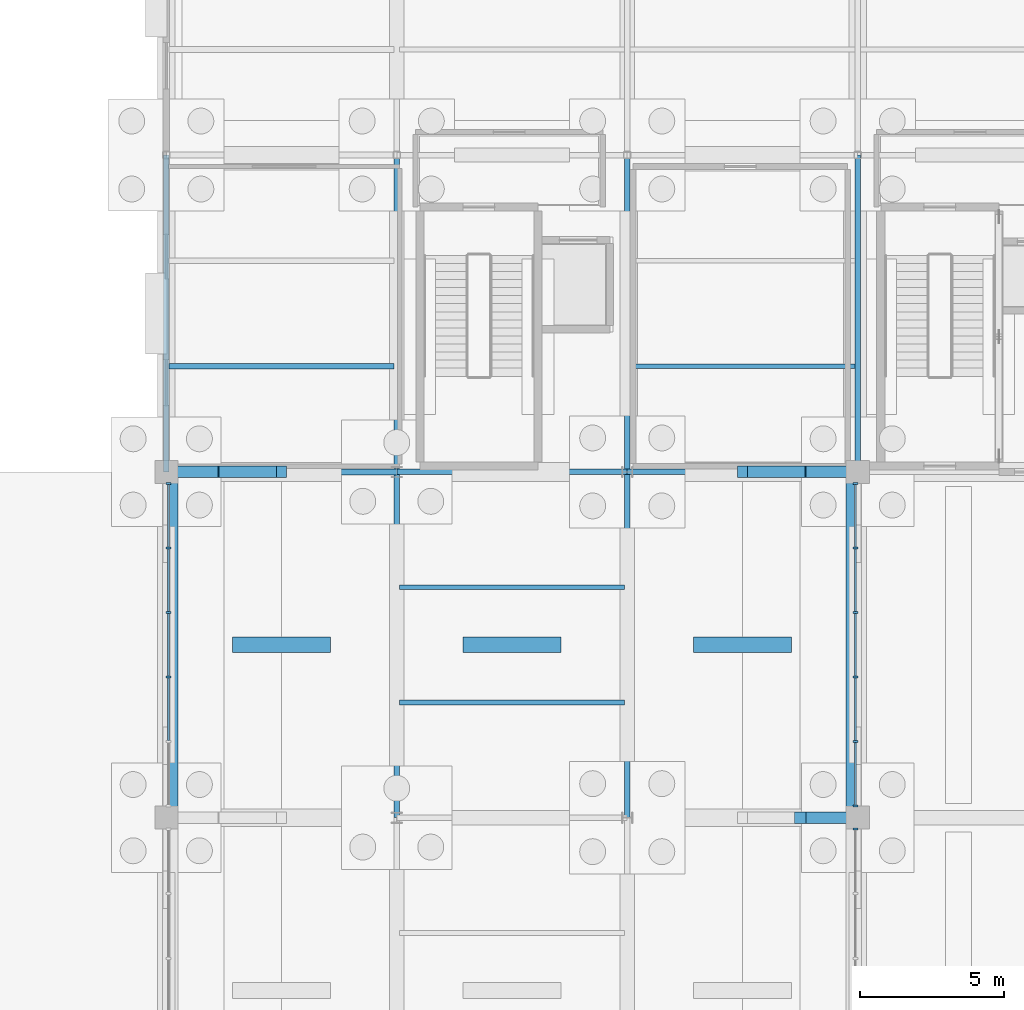
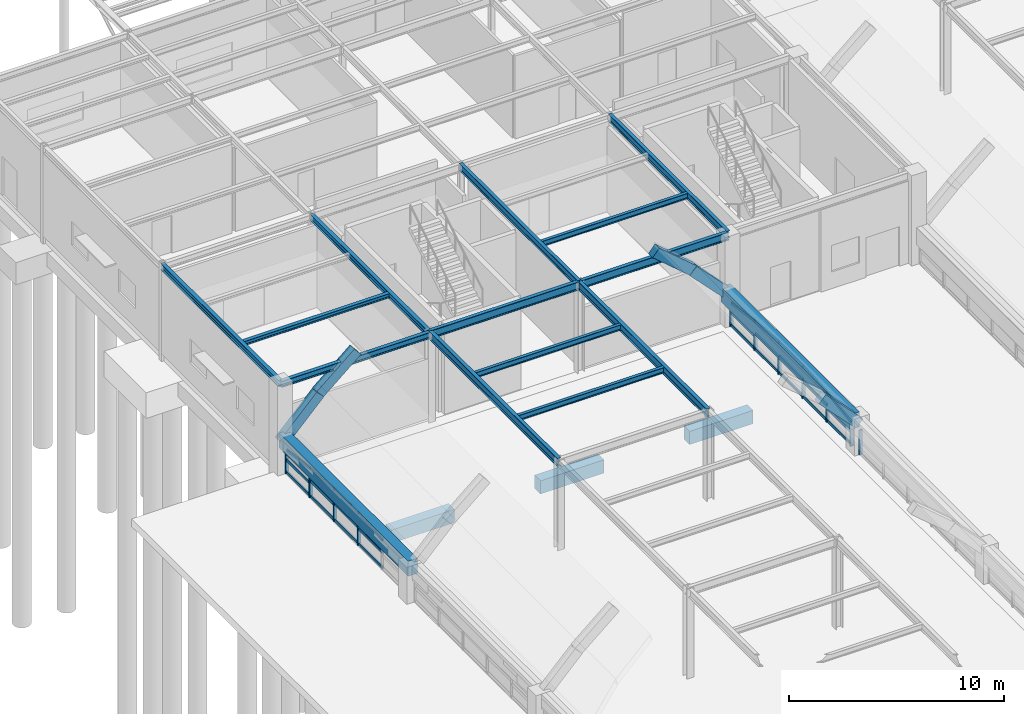
# One storey, part 53 of 129: 38 members, 23 beams, 3 elements without a shape of their own.
"""IFC4 building model written with IfcOpenShell, lengths in metres."""

from ifc_helpers import new_model, si_unit, direction, frame, origin, origin_2d, place, context, subcontext, project, spatial, rectangle, i_section, extrude, material, layer, layer_set, material_profile, profile_set, type_object, element, aggregate, save


model = new_model("IFC4")

# Units and contexts
model_context = context("Model", 3, precision=1e-05, world=origin(), true_north=direction((0.0, 1.0)))
body_context = subcontext(model_context, "Body", "Model", "MODEL_VIEW")
ifc_project = project(units=[si_unit("LENGTHUNIT", "METRE"), si_unit("AREAUNIT", "SQUARE_METRE"), si_unit("VOLUMEUNIT", "CUBIC_METRE"), si_unit("PLANEANGLEUNIT", "RADIAN"), si_unit("MASSUNIT", "GRAM", prefix="KILO")], contexts=[model_context])

# Site, building, storey
site_placement = place(None, origin())
site = spatial("IfcSite", under=ifc_project, at=site_placement, CompositionType="ELEMENT")
building_placement = place(site_placement, origin())
building = spatial("IfcBuilding", under=site, at=building_placement, Name="Sitalva Quay Ferry Terminal", CompositionType="ELEMENT")
storey_placement = place(building_placement, origin())
storey = spatial("IfcBuildingStorey", under=building, at=storey_placement, Name="L01", CompositionType="ELEMENT", Elevation=0.0)

# Beams
ifc_material_1 = material(Name="Concrete C40/50", Category="concrete")
ifc_material_profile_1 = material_profile(ifc_material_1, rectangle(XDim=0.39990234375, YDim=0.550048828125, at=origin_2d()), Name="RC400x550")
ifc_profile_set_1 = profile_set([ifc_material_profile_1], Name="Concrete C40/50")
beam_type_1 = type_object("IfcBeamType", Name="Beam_Arch_RC400x550", PredefinedType="BEAM", material=ifc_profile_set_1)
for number, where, z_axis, x_axis, name in (
    (1, (30.0, 66.0, 3.66943359375), (0.693983482825, 0.0, -0.719990920475), (0.0, 1.0, 0.0), "Vault V2 transverse arch rib 6.12"),
    (2, (8.0, 78.0, 1.594482421875), (0.693983482825, 0.0, 0.719990920475), (0.0, 1.0, 0.0), "Vault V2 transverse arch rib 7.1"),
):
    element("IfcBeam", number, at=place(storey_placement, frame(where, z_axis=z_axis, x_axis=x_axis)), inside=storey, type_object=beam_type_1, Name=name, PredefinedType="BEAM", context=body_context, shape_type="SweptSolid", body=[
        extrude(rectangle(XDim=0.39990234375, YDim=0.550048828125, at=origin_2d()), origin(), (0.0, 0.0, 1.0), 2.8818359375),
    ])
for number, where, z_axis, x_axis, name in (
    (3, (10.0, 78.0, 3.689697265625), (0.761351968138, 0.0, 0.648338785368), (0.0, 1.0, 0.0), "Vault V2 transverse arch rib 7.2"),
    (4, (28.0, 78.0, 5.392822265625), (0.761351968138, 0.0, -0.648338785368), (0.0, 1.0, 0.0), "Vault V2 transverse arch rib 7.11"),
):
    element("IfcBeam", number, at=place(storey_placement, frame(where, z_axis=z_axis, x_axis=x_axis)), inside=storey, type_object=beam_type_1, Name=name, PredefinedType="BEAM", context=body_context, shape_type="SweptSolid", body=[
        extrude(rectangle(XDim=0.39990234375, YDim=0.550048828125, at=origin_2d()), origin(), (0.0, 0.0, 1.0), 2.626953125),
    ])
beam_1_placement = place(storey_placement, frame((30.0, 78.0, 3.66943359375), z_axis=(0.693983482825, 0.0, -0.719990920475), x_axis=(0.0, 1.0, 0.0)))
element("IfcBeam", 5, at=beam_1_placement, inside=storey, type_object=beam_type_1, Name="Vault V2 transverse arch rib 7.12", PredefinedType="BEAM", context=body_context, shape_type="SweptSolid", body=[
    extrude(rectangle(XDim=0.39990234375, YDim=0.550048828125, at=origin_2d()), origin(), (0.0, 0.0, 1.0), 2.8818359375),
])
ifc_material_2 = material(Name="Concrete C40/50", Category="concrete")
ifc_material_profile_2 = material_profile(ifc_material_2, rectangle(XDim=0.5, YDim=0.85009765625, at=origin_2d()), Name="RC500x850")
ifc_profile_set_2 = profile_set([ifc_material_profile_2], Name="Concrete C40/50")
beam_type_2 = type_object("IfcBeamType", Name="Beam_Edge_RC500x850", PredefinedType="BEAM", material=ifc_profile_set_2)
for number, where, z_axis, x_axis, name in (
    (6, (8.14990234375, 66.0, 1.675048828125), (0.0, 1.0, 0.0), (-1.0, 0.0, 0.0), "Vault V2 longitudinal springing edge beam W bay 6"),
    (7, (31.85009765625, 66.0, 1.675048828125), (0.0, 1.0, 0.0), (-1.0, 0.0, 0.0), "Vault V2 longitudinal springing edge beam E bay 6"),
):
    element("IfcBeam", number, at=place(storey_placement, frame(where, z_axis=z_axis, x_axis=x_axis)), inside=storey, type_object=beam_type_2, Name=name, PredefinedType="BEAM", context=body_context, shape_type="SweptSolid", body=[
        extrude(rectangle(XDim=0.5, YDim=0.85009765625, at=origin_2d()), origin(), (0.0, 0.0, 1.0), 12.0),
    ])
ifc_material_3 = material(Name="Structural Steel S355JR", Category="steel")
ifc_material_profile_3 = material_profile(ifc_material_3, i_section(OverallWidth=0.205078125, OverallDepth=0.35400390625, WebThickness=0.009521484375, FlangeThickness=0.016845703125, FilletRadius=0.012939453125, at=origin_2d()), Name="W360x79")
ifc_profile_set_3 = profile_set([ifc_material_profile_3], Name="Structural Steel S355JR")
beam_type_3 = type_object("IfcBeamType", Name="Beam_W360x79", PredefinedType="BEAM", material=ifc_profile_set_3)
beam_2_placement = place(storey_placement, frame((8.0, 78.0, 4.873046875), z_axis=(1.0, 0.0, 0.0), x_axis=(0.0, 1.0, 0.0)))
element("IfcBeam", 8, at=beam_2_placement, inside=storey, type_object=beam_type_3, Name="L01 Primary X girder 0441", PredefinedType="BEAM", context=body_context, shape_type="SweptSolid", body=[
    extrude(i_section(OverallWidth=0.205078125, OverallDepth=0.35400390625, WebThickness=0.009521484375, FlangeThickness=0.016845703125, FilletRadius=0.012939453125, at=origin_2d()), origin(), (0.0, 0.0, 1.0), 8.0),
])
for number, where, z_axis, x_axis, name in (
    (9, (8.0, 78.0, 4.873046875), (0.0, 1.0, 0.0), (-1.0, 0.0, 0.0), "L01 Primary Y girder 0445"),
    (10, (16.0, 78.0, 4.873046875), (0.0, 1.0, 0.0), (-1.0, 0.0, 0.0), "L01 Primary Y girder 0448"),
):
    element("IfcBeam", number, at=place(storey_placement, frame(where, z_axis=z_axis, x_axis=x_axis)), inside=storey, type_object=beam_type_3, Name=name, PredefinedType="BEAM", context=body_context, shape_type="SweptSolid", body=[
        extrude(i_section(OverallWidth=0.205078125, OverallDepth=0.35400390625, WebThickness=0.009521484375, FlangeThickness=0.016845703125, FilletRadius=0.012939453125, at=origin_2d()), origin(), (0.0, 0.0, 1.0), 11.0),
    ])
ifc_material_4 = material(Name="Structural Steel S355JR", Category="steel")
ifc_material_profile_4 = material_profile(ifc_material_4, i_section(OverallWidth=0.180908203125, OverallDepth=0.4169921875, WebThickness=0.010986328125, FlangeThickness=0.018310546875, FilletRadius=0.012939453125, at=origin_2d()), Name="W410x85")
ifc_profile_set_4 = profile_set([ifc_material_profile_4], Name="Structural Steel S355JR")
beam_type_4 = type_object("IfcBeamType", Name="Beam_W410x85", PredefinedType="BEAM", material=ifc_profile_set_4)
for number, where, z_axis, x_axis, name in (
    (11, (24.0, 78.0, 4.91162109375), (0.0, 1.0, 0.0), (-1.0, 0.0, 0.0), "L01 Primary Y girder 0468"),
    (12, (32.0, 78.0, 4.91162109375), (0.0, 1.0, 0.0), (-1.0, 0.0, 0.0), "L01 Primary Y girder 0471"),
):
    element("IfcBeam", number, at=place(storey_placement, frame(where, z_axis=z_axis, x_axis=x_axis)), inside=storey, type_object=beam_type_4, Name=name, PredefinedType="BEAM", context=body_context, shape_type="SweptSolid", body=[
        extrude(i_section(OverallWidth=0.180908203125, OverallDepth=0.4169921875, WebThickness=0.010986328125, FlangeThickness=0.018310546875, FilletRadius=0.012939453125, at=origin_2d()), origin(), (0.0, 0.0, 1.0), 11.0),
    ])
ifc_material_5 = material(Name="Structural Steel S355JR", Category="steel")
ifc_material_profile_5 = material_profile(ifc_material_5, i_section(OverallWidth=0.19091796875, OverallDepth=0.4599609375, WebThickness=0.010009765625, FlangeThickness=0.01611328125, FilletRadius=0.013916015625, at=origin_2d()), Name="W460x82")
ifc_profile_set_5 = profile_set([ifc_material_profile_5], Name="Structural Steel S355JR")
beam_type_5 = type_object("IfcBeamType", Name="Beam_W460x82", PredefinedType="BEAM", material=ifc_profile_set_5)
beam_3_placement = place(storey_placement, frame((24.0, 78.0, 4.889892578125), z_axis=(1.0, 0.0, 0.0), x_axis=(0.0, 1.0, 0.0)))
element("IfcBeam", 13, at=beam_3_placement, inside=storey, type_object=beam_type_5, Name="L01 Primary X girder 0457", PredefinedType="BEAM", context=body_context, shape_type="SweptSolid", body=[
    extrude(i_section(OverallWidth=0.19091796875, OverallDepth=0.4599609375, WebThickness=0.010009765625, FlangeThickness=0.01611328125, FilletRadius=0.013916015625, at=origin_2d()), origin(), (0.0, 0.0, 1.0), 8.0),
])
ifc_material_6 = material(Name="Structural Steel S355JR", Category="steel")
ifc_material_profile_6 = material_profile(ifc_material_6, i_section(OverallWidth=0.194091796875, OverallDepth=0.468994140625, WebThickness=0.0126953125, FlangeThickness=0.0205078125, FilletRadius=0.013916015625, at=origin_2d()), Name="W460x106")
ifc_profile_set_6 = profile_set([ifc_material_profile_6], Name="Structural Steel S355JR")
beam_type_6 = type_object("IfcBeamType", Name="Girder_W460x106", PredefinedType="USERDEFINED", material=ifc_profile_set_6)
beam_4_placement = place(storey_placement, frame((16.0, 78.0, 4.885498046875), z_axis=(1.0, 0.0, 0.0), x_axis=(0.0, 1.0, 0.0)))
element("IfcBeam", 14, at=beam_4_placement, inside=storey, type_object=beam_type_6, Name="L01 Primary X girder 0115", ObjectType="GIRDER", PredefinedType="USERDEFINED", context=body_context, shape_type="SweptSolid", body=[
    extrude(i_section(OverallWidth=0.194091796875, OverallDepth=0.468994140625, WebThickness=0.0126953125, FlangeThickness=0.0205078125, FilletRadius=0.013916015625, at=origin_2d()), origin(), (0.0, 0.0, 1.0), 8.0),
])
for number, where, z_axis, x_axis, name in (
    (15, (16.0, 66.0, 4.885498046875), (0.0, 1.0, 0.0), (-1.0, 0.0, 0.0), "L01 Primary Y girder 0119"),
    (16, (24.0, 66.0, 4.885498046875), (0.0, 1.0, 0.0), (-1.0, 0.0, 0.0), "L01 Primary Y girder 0123"),
):
    element("IfcBeam", number, at=place(storey_placement, frame(where, z_axis=z_axis, x_axis=x_axis)), inside=storey, type_object=beam_type_6, Name=name, ObjectType="GIRDER", PredefinedType="USERDEFINED", context=body_context, shape_type="SweptSolid", body=[
        extrude(i_section(OverallWidth=0.194091796875, OverallDepth=0.468994140625, WebThickness=0.0126953125, FlangeThickness=0.0205078125, FilletRadius=0.013916015625, at=origin_2d()), origin(), (0.0, 0.0, 1.0), 12.0),
    ])
ifc_material_7 = material(Name="Structural Steel S355JR", Category="steel")
ifc_material_profile_7 = material_profile(ifc_material_7, i_section(OverallWidth=0.201904296875, OverallDepth=0.2470703125, WebThickness=0.00732421875, FlangeThickness=0.010986328125, FilletRadius=0.010986328125, at=origin_2d()), Name="W250x49")
ifc_profile_set_7 = profile_set([ifc_material_profile_7], Name="Structural Steel S355JR")
beam_type_7 = type_object("IfcBeamType", Name="Joist_W250x49", PredefinedType="JOIST", material=ifc_profile_set_7)
beam_5_placement = place(storey_placement, frame((8.10009765625, 81.666748046875, 4.926513671875), z_axis=(1.0, 0.0, 0.0), x_axis=(0.0, 1.0, 0.0)))
element("IfcBeam", 17, at=beam_5_placement, inside=storey, type_object=beam_type_7, Name="L01 Secondary joist 0451", PredefinedType="JOIST", context=body_context, shape_type="SweptSolid", body=[
    extrude(i_section(OverallWidth=0.201904296875, OverallDepth=0.2470703125, WebThickness=0.00732421875, FlangeThickness=0.010986328125, FilletRadius=0.010986328125, at=origin_2d()), origin(), (0.0, 0.0, 1.0), 7.7998046875),
])
ifc_material_8 = material(Name="Structural Steel S355JR", Category="steel")
ifc_material_profile_8 = material_profile(ifc_material_8, i_section(OverallWidth=0.166015625, OverallDepth=0.31298828125, WebThickness=0.006591796875, FlangeThickness=0.01123046875, FilletRadius=0.010986328125, at=origin_2d()), Name="W310x45")
ifc_profile_set_8 = profile_set([ifc_material_profile_8], Name="Structural Steel S355JR")
beam_type_8 = type_object("IfcBeamType", Name="Joist_W310x45", PredefinedType="JOIST", material=ifc_profile_set_8)
for number, where, z_axis, x_axis, name in (
    (18, (16.096923828125, 70.0, 4.96337890625), (1.0, 0.0, 0.0), (0.0, 1.0, 0.0), "L01 Secondary joist 0128"),
    (19, (16.096923828125, 74.0, 4.96337890625), (1.0, 0.0, 0.0), (0.0, 1.0, 0.0), "L01 Secondary joist 0129"),
):
    element("IfcBeam", number, at=place(storey_placement, frame(where, z_axis=z_axis, x_axis=x_axis)), inside=storey, type_object=beam_type_8, Name=name, PredefinedType="JOIST", context=body_context, shape_type="SweptSolid", body=[
        extrude(i_section(OverallWidth=0.166015625, OverallDepth=0.31298828125, WebThickness=0.006591796875, FlangeThickness=0.01123046875, FilletRadius=0.010986328125, at=origin_2d()), origin(), (0.0, 0.0, 1.0), 7.80615234375),
    ])
beam_6_placement = place(storey_placement, frame((24.090576171875, 81.666748046875, 4.96337890625), z_axis=(1.0, 0.0, 0.0), x_axis=(0.0, 1.0, 0.0)))
element("IfcBeam", 20, at=beam_6_placement, inside=storey, type_object=beam_type_8, Name="L01 Secondary joist 0477", PredefinedType="JOIST", context=body_context, shape_type="SweptSolid", body=[
    extrude(i_section(OverallWidth=0.166015625, OverallDepth=0.31298828125, WebThickness=0.006591796875, FlangeThickness=0.01123046875, FilletRadius=0.010986328125, at=origin_2d()), origin(), (0.0, 0.0, 1.0), 7.81884765625),
])

# Curtain wall, member
ifc_material_9 = material(Name="Anodised Aluminium & Low-E Glazing", Category="aluminium")
ifc_layer = layer(ifc_material_9, 0.159912109375)
ifc_layer_set = layer_set([ifc_layer], Name="Anodised Aluminium & Low-E Glazing")
curtain_wall_type = type_object("IfcCurtainWallType", Name="CW_VaultArch_Glazed", PredefinedType="USERDEFINED", material=ifc_layer_set)
curtain_wall_1_placement = place(storey_placement, origin())
curtain_wall_1 = element("IfcCurtainWall", 21, at=curtain_wall_1_placement, inside=storey, type_object=curtain_wall_type, Name="V2-E shallow-arch base glazing (CW-L01-025)", ObjectType="CURTAIN_WALL", PredefinedType="USERDEFINED")
ifc_material_10 = material(Name="Anodised Aluminium 6063-T6", Category="aluminium")
ifc_material_profile_9 = material_profile(ifc_material_10, rectangle(XDim=0.070068359375, YDim=0.181884765625, at=origin_2d()), Name="ALU70x182")
ifc_profile_set_9 = profile_set([ifc_material_profile_9], Name="Anodised Aluminium 6063-T6")
member_type_1 = type_object("IfcMemberType", Name="Mullion_Alu_65x170", PredefinedType="MULLION", material=ifc_profile_set_9)
member_1_placement = place(storey_placement, frame((31.919921875, 65.60009765625, 0.0), z_axis=(0.0, 0.0, 1.0), x_axis=(0.0, 1.0, 0.0)))
member_1 = element("IfcMember", 22, at=member_1_placement, type_object=member_type_1, Name="CW-L01-025-M5", PredefinedType="MULLION", context=body_context, shape_type="SweptSolid", body=[
    extrude(rectangle(XDim=0.070068359375, YDim=0.181884765625, at=origin_2d()), origin(), (0.0, 0.0, 1.0), 1.39990234375),
])
aggregate(curtain_wall_1, [member_1])

# Curtain wall, members
curtain_wall_2_placement = place(storey_placement, origin())
curtain_wall_2 = element("IfcCurtainWall", 23, at=curtain_wall_2_placement, inside=storey, type_object=curtain_wall_type, Name="V2-W shallow-arch base glazing (CW-L01-027)", ObjectType="CURTAIN_WALL", PredefinedType="USERDEFINED")
member_2_placement = place(storey_placement, frame((8.080078125, 70.8798828125, 0.0), z_axis=(0.0, 0.0, 1.0), x_axis=(0.0, 1.0, 0.0)))
member_2 = element("IfcMember", 24, at=member_2_placement, type_object=member_type_1, Name="CW-L01-027-M2", PredefinedType="MULLION", context=body_context, shape_type="SweptSolid", body=[
    extrude(rectangle(XDim=0.070068359375, YDim=0.181884765625, at=origin_2d()), origin(), (0.0, 0.0, 1.0), 1.86083984375),
])
member_3_placement = place(storey_placement, frame((8.080078125, 73.1201171875, 0.0), z_axis=(0.0, 0.0, 1.0), x_axis=(0.0, 1.0, 0.0)))
member_3 = element("IfcMember", 25, at=member_3_placement, type_object=member_type_1, Name="CW-L01-027-M3", PredefinedType="MULLION", context=body_context, shape_type="SweptSolid", body=[
    extrude(rectangle(XDim=0.070068359375, YDim=0.181884765625, at=origin_2d()), origin(), (0.0, 0.0, 1.0), 1.86083984375),
])
member_4_placement = place(storey_placement, frame((8.080078125, 75.360107421875, 0.0), z_axis=(0.0, 0.0, 1.0), x_axis=(0.0, 1.0, 0.0)))
member_4 = element("IfcMember", 26, at=member_4_placement, type_object=member_type_1, Name="CW-L01-027-M4", PredefinedType="MULLION", context=body_context, shape_type="SweptSolid", body=[
    extrude(rectangle(XDim=0.070068359375, YDim=0.181884765625, at=origin_2d()), origin(), (0.0, 0.0, 1.0), 1.707275390625),
])
member_5_placement = place(storey_placement, frame((8.080078125, 77.60009765625, 0.0), z_axis=(0.0, 0.0, 1.0), x_axis=(0.0, 1.0, 0.0)))
member_5 = element("IfcMember", 27, at=member_5_placement, type_object=member_type_1, Name="CW-L01-027-M5", PredefinedType="MULLION", context=body_context, shape_type="SweptSolid", body=[
    extrude(rectangle(XDim=0.070068359375, YDim=0.181884765625, at=origin_2d()), origin(), (0.0, 0.0, 1.0), 1.39990234375),
])

curtain_wall_3_placement = place(storey_placement, origin())
curtain_wall_3 = element("IfcCurtainWall", 28, at=curtain_wall_3_placement, inside=storey, type_object=curtain_wall_type, Name="V2-E shallow-arch base glazing (CW-L01-028)", ObjectType="CURTAIN_WALL", PredefinedType="USERDEFINED")
member_6_placement = place(storey_placement, frame((31.919921875, 66.39990234375, 0.0), z_axis=(0.0, 0.0, 1.0), x_axis=(0.0, 1.0, 0.0)))
member_6 = element("IfcMember", 29, at=member_6_placement, type_object=member_type_1, Name="CW-L01-028-M0", PredefinedType="MULLION", context=body_context, shape_type="SweptSolid", body=[
    extrude(rectangle(XDim=0.070068359375, YDim=0.181884765625, at=origin_2d()), origin(), (0.0, 0.0, 1.0), 1.39990234375),
])
member_7_placement = place(storey_placement, frame((31.919921875, 68.639892578125, 0.0), z_axis=(0.0, 0.0, 1.0), x_axis=(0.0, 1.0, 0.0)))
member_7 = element("IfcMember", 30, at=member_7_placement, type_object=member_type_1, Name="CW-L01-028-M1", PredefinedType="MULLION", context=body_context, shape_type="SweptSolid", body=[
    extrude(rectangle(XDim=0.070068359375, YDim=0.181884765625, at=origin_2d()), origin(), (0.0, 0.0, 1.0), 1.707275390625),
])
member_8_placement = place(storey_placement, frame((31.919921875, 70.8798828125, 0.0), z_axis=(0.0, 0.0, 1.0), x_axis=(0.0, 1.0, 0.0)))
member_8 = element("IfcMember", 31, at=member_8_placement, type_object=member_type_1, Name="CW-L01-028-M2", PredefinedType="MULLION", context=body_context, shape_type="SweptSolid", body=[
    extrude(rectangle(XDim=0.070068359375, YDim=0.181884765625, at=origin_2d()), origin(), (0.0, 0.0, 1.0), 1.86083984375),
])
member_9_placement = place(storey_placement, frame((31.919921875, 73.1201171875, 0.0), z_axis=(0.0, 0.0, 1.0), x_axis=(0.0, 1.0, 0.0)))
member_9 = element("IfcMember", 32, at=member_9_placement, type_object=member_type_1, Name="CW-L01-028-M3", PredefinedType="MULLION", context=body_context, shape_type="SweptSolid", body=[
    extrude(rectangle(XDim=0.070068359375, YDim=0.181884765625, at=origin_2d()), origin(), (0.0, 0.0, 1.0), 1.86083984375),
])
member_10_placement = place(storey_placement, frame((31.919921875, 75.360107421875, 0.0), z_axis=(0.0, 0.0, 1.0), x_axis=(0.0, 1.0, 0.0)))
member_10 = element("IfcMember", 33, at=member_10_placement, type_object=member_type_1, Name="CW-L01-028-M4", PredefinedType="MULLION", context=body_context, shape_type="SweptSolid", body=[
    extrude(rectangle(XDim=0.070068359375, YDim=0.181884765625, at=origin_2d()), origin(), (0.0, 0.0, 1.0), 1.707275390625),
])
member_11_placement = place(storey_placement, frame((31.919921875, 77.60009765625, 0.0), z_axis=(0.0, 0.0, 1.0), x_axis=(0.0, 1.0, 0.0)))
member_11 = element("IfcMember", 34, at=member_11_placement, type_object=member_type_1, Name="CW-L01-028-M5", PredefinedType="MULLION", context=body_context, shape_type="SweptSolid", body=[
    extrude(rectangle(XDim=0.070068359375, YDim=0.181884765625, at=origin_2d()), origin(), (0.0, 0.0, 1.0), 1.39990234375),
])

# Beams
ifc_material_11 = material(Name="Concrete C35/45", Category="concrete")
ifc_material_profile_10 = material_profile(ifc_material_11, rectangle(XDim=0.550048828125, YDim=0.75, at=origin_2d()), Name="RC550x750")
ifc_profile_set_10 = profile_set([ifc_material_profile_10], Name="Concrete C35/45")
beam_type_9 = type_object("IfcBeamType", Name="TBeam_Quay_RC550x750", PredefinedType="T_BEAM", material=ifc_profile_set_10)
for number, where, z_axis, x_axis, name in (
    (35, (10.300048828125, 72.0, -0.824951171875), (1.0, 0.0, 0.0), (0.0, 1.0, 0.0), "L01 Quay deck mid-bay T-beam 0099"),
    (36, (18.300048828125, 72.0, -0.824951171875), (1.0, 0.0, 0.0), (0.0, 1.0, 0.0), "L01 Quay deck mid-bay T-beam 0100"),
    (37, (26.300048828125, 72.0, -0.824951171875), (1.0, 0.0, 0.0), (0.0, 1.0, 0.0), "L01 Quay deck mid-bay T-beam 0101"),
):
    element("IfcBeam", number, at=place(storey_placement, frame(where, z_axis=z_axis, x_axis=x_axis)), inside=storey, type_object=beam_type_9, Name=name, PredefinedType="T_BEAM", context=body_context, shape_type="SweptSolid", body=[
        extrude(rectangle(XDim=0.550048828125, YDim=0.75, at=origin_2d()), origin(), (0.0, 0.0, 1.0), 3.39990234375),
    ])

# Member
ifc_material_12 = material(Name="Anodised Aluminium 6063-T6", Category="aluminium")
ifc_material_profile_11 = material_profile(ifc_material_12, rectangle(XDim=0.074951171875, YDim=0.155029296875, at=origin_2d()), Name="ALU75x155")
ifc_profile_set_11 = profile_set([ifc_material_profile_11], Name="Anodised Aluminium 6063-T6")
member_type_2 = type_object("IfcMemberType", Name="Transom_Alu_70x135", PredefinedType="MULLION", material=ifc_profile_set_11)
member_12_placement = place(storey_placement, frame((8.080078125, 68.675048828125, 0.077392578125), z_axis=(0.0, 1.0, 0.0), x_axis=(-1.0, 0.0, 0.0)))
member_12 = element("IfcMember", 38, at=member_12_placement, type_object=member_type_2, Name="CW-L01-027-T1-0", ObjectType="TRANSOM", PredefinedType="USERDEFINED", context=body_context, shape_type="SweptSolid", body=[
    extrude(rectangle(XDim=0.074951171875, YDim=0.155029296875, at=origin_2d()), origin(), (0.0, 0.0, 1.0), 2.169921875),
])

member_13_placement = place(storey_placement, frame((8.080078125, 68.675048828125, 0.93115234375), z_axis=(0.0, 1.0, 0.0), x_axis=(-1.0, 0.0, 0.0)))
member_13 = element("IfcMember", 39, at=member_13_placement, type_object=member_type_2, Name="CW-L01-027-T1-1", ObjectType="TRANSOM", PredefinedType="USERDEFINED", context=body_context, shape_type="SweptSolid", body=[
    extrude(rectangle(XDim=0.074951171875, YDim=0.155029296875, at=origin_2d()), origin(), (0.0, 0.0, 1.0), 2.169921875),
])

member_14_placement = place(storey_placement, frame((8.080078125, 68.675048828125, 1.629638671875), z_axis=(0.0, 0.997505200677, 0.070593021065), x_axis=(-1.0, 0.0, 0.0)))
member_14 = element("IfcMember", 40, at=member_14_placement, type_object=member_type_2, Name="CW-L01-027-T1-2", ObjectType="TRANSOM", PredefinedType="USERDEFINED", context=body_context, shape_type="SweptSolid", body=[
    extrude(rectangle(XDim=0.074951171875, YDim=0.155029296875, at=origin_2d()), origin(), (0.0, 0.0, 1.0), 2.17529296875),
])

member_15_placement = place(storey_placement, frame((8.080078125, 70.9150390625, 0.077392578125), z_axis=(0.0, 1.0, 0.0), x_axis=(-1.0, 0.0, 0.0)))
member_15 = element("IfcMember", 41, at=member_15_placement, type_object=member_type_2, Name="CW-L01-027-T2-0", ObjectType="TRANSOM", PredefinedType="USERDEFINED", context=body_context, shape_type="SweptSolid", body=[
    extrude(rectangle(XDim=0.074951171875, YDim=0.155029296875, at=origin_2d()), origin(), (0.0, 0.0, 1.0), 2.169921875),
])

member_16_placement = place(storey_placement, frame((8.080078125, 70.9150390625, 1.0078125), z_axis=(0.0, 1.0, 0.0), x_axis=(-1.0, 0.0, 0.0)))
member_16 = element("IfcMember", 42, at=member_16_placement, type_object=member_type_2, Name="CW-L01-027-T2-1", ObjectType="TRANSOM", PredefinedType="USERDEFINED", context=body_context, shape_type="SweptSolid", body=[
    extrude(rectangle(XDim=0.074951171875, YDim=0.155029296875, at=origin_2d()), origin(), (0.0, 0.0, 1.0), 2.169921875),
])

member_17_placement = place(storey_placement, frame((8.080078125, 70.9150390625, 1.783203125), z_axis=(0.0, 1.0, 0.0), x_axis=(-1.0, 0.0, 0.0)))
member_17 = element("IfcMember", 43, at=member_17_placement, type_object=member_type_2, Name="CW-L01-027-T2-2", ObjectType="TRANSOM", PredefinedType="USERDEFINED", context=body_context, shape_type="SweptSolid", body=[
    extrude(rectangle(XDim=0.074951171875, YDim=0.155029296875, at=origin_2d()), origin(), (0.0, 0.0, 1.0), 2.169921875),
])

member_18_placement = place(storey_placement, frame((8.080078125, 73.155029296875, 0.077392578125), z_axis=(0.0, 1.0, 0.0), x_axis=(-1.0, 0.0, 0.0)))
member_18 = element("IfcMember", 44, at=member_18_placement, type_object=member_type_2, Name="CW-L01-027-T3-0", ObjectType="TRANSOM", PredefinedType="USERDEFINED", context=body_context, shape_type="SweptSolid", body=[
    extrude(rectangle(XDim=0.074951171875, YDim=0.155029296875, at=origin_2d()), origin(), (0.0, 0.0, 1.0), 2.169921875),
])

member_19_placement = place(storey_placement, frame((8.080078125, 73.155029296875, 0.93115234375), z_axis=(0.0, 1.0, 0.0), x_axis=(-1.0, 0.0, 0.0)))
member_19 = element("IfcMember", 45, at=member_19_placement, type_object=member_type_2, Name="CW-L01-027-T3-1", ObjectType="TRANSOM", PredefinedType="USERDEFINED", context=body_context, shape_type="SweptSolid", body=[
    extrude(rectangle(XDim=0.074951171875, YDim=0.155029296875, at=origin_2d()), origin(), (0.0, 0.0, 1.0), 2.169921875),
])

member_20_placement = place(storey_placement, frame((8.080078125, 73.155029296875, 1.783203125), z_axis=(0.0, 0.997505200677, -0.070593021065), x_axis=(-1.0, 0.0, 0.0)))
member_20 = element("IfcMember", 46, at=member_20_placement, type_object=member_type_2, Name="CW-L01-027-T3-2", ObjectType="TRANSOM", PredefinedType="USERDEFINED", context=body_context, shape_type="SweptSolid", body=[
    extrude(rectangle(XDim=0.074951171875, YDim=0.155029296875, at=origin_2d()), origin(), (0.0, 0.0, 1.0), 2.17529296875),
])

member_21_placement = place(storey_placement, frame((8.080078125, 75.39501953125, 0.077392578125), z_axis=(0.0, 1.0, 0.0), x_axis=(-1.0, 0.0, 0.0)))
member_21 = element("IfcMember", 47, at=member_21_placement, type_object=member_type_2, Name="CW-L01-027-T4-0", ObjectType="TRANSOM", PredefinedType="USERDEFINED", context=body_context, shape_type="SweptSolid", body=[
    extrude(rectangle(XDim=0.074951171875, YDim=0.155029296875, at=origin_2d()), origin(), (0.0, 0.0, 1.0), 2.169921875),
])

member_22_placement = place(storey_placement, frame((8.080078125, 75.39501953125, 0.777587890625), z_axis=(0.0, 1.0, 0.0), x_axis=(-1.0, 0.0, 0.0)))
member_22 = element("IfcMember", 48, at=member_22_placement, type_object=member_type_2, Name="CW-L01-027-T4-1", ObjectType="TRANSOM", PredefinedType="USERDEFINED", context=body_context, shape_type="SweptSolid", body=[
    extrude(rectangle(XDim=0.074951171875, YDim=0.155029296875, at=origin_2d()), origin(), (0.0, 0.0, 1.0), 2.169921875),
])

member_23_placement = place(storey_placement, frame((8.080078125, 75.39501953125, 1.629638671875), z_axis=(0.0, 0.990131365095, -0.140142355681), x_axis=(-1.0, 0.0, 0.0)))
member_23 = element("IfcMember", 49, at=member_23_placement, type_object=member_type_2, Name="CW-L01-027-T4-2", ObjectType="TRANSOM", PredefinedType="USERDEFINED", context=body_context, shape_type="SweptSolid", body=[
    extrude(rectangle(XDim=0.074951171875, YDim=0.155029296875, at=origin_2d()), origin(), (0.0, 0.0, 1.0), 2.191650390625),
])

aggregate(curtain_wall_2, [member_2, member_3, member_4, member_5, member_12, member_13, member_14, member_15, member_16, member_17, member_18, member_19, member_20, member_21, member_22, member_23])

member_24_placement = place(storey_placement, frame((31.919921875, 66.43505859375, 0.077392578125), z_axis=(0.0, 1.0, 0.0), x_axis=(-1.0, 0.0, 0.0)))
member_24 = element("IfcMember", 50, at=member_24_placement, type_object=member_type_2, Name="CW-L01-028-T0-0", ObjectType="TRANSOM", PredefinedType="USERDEFINED", context=body_context, shape_type="SweptSolid", body=[
    extrude(rectangle(XDim=0.074951171875, YDim=0.155029296875, at=origin_2d()), origin(), (0.0, 0.0, 1.0), 2.169921875),
])

member_25_placement = place(storey_placement, frame((31.919921875, 66.43505859375, 0.777587890625), z_axis=(0.0, 1.0, 0.0), x_axis=(-1.0, 0.0, 0.0)))
member_25 = element("IfcMember", 51, at=member_25_placement, type_object=member_type_2, Name="CW-L01-028-T0-1", ObjectType="TRANSOM", PredefinedType="USERDEFINED", context=body_context, shape_type="SweptSolid", body=[
    extrude(rectangle(XDim=0.074951171875, YDim=0.155029296875, at=origin_2d()), origin(), (0.0, 0.0, 1.0), 2.169921875),
])

member_26_placement = place(storey_placement, frame((31.919921875, 66.43505859375, 1.322509765625), z_axis=(0.0, 0.990131365095, 0.140142355681), x_axis=(-1.0, 0.0, 0.0)))
member_26 = element("IfcMember", 52, at=member_26_placement, type_object=member_type_2, Name="CW-L01-028-T0-2", ObjectType="TRANSOM", PredefinedType="USERDEFINED", context=body_context, shape_type="SweptSolid", body=[
    extrude(rectangle(XDim=0.074951171875, YDim=0.155029296875, at=origin_2d()), origin(), (0.0, 0.0, 1.0), 2.191650390625),
])

member_27_placement = place(storey_placement, frame((31.919921875, 68.675048828125, 0.077392578125), z_axis=(0.0, 1.0, 0.0), x_axis=(-1.0, 0.0, 0.0)))
member_27 = element("IfcMember", 53, at=member_27_placement, type_object=member_type_2, Name="CW-L01-028-T1-0", ObjectType="TRANSOM", PredefinedType="USERDEFINED", context=body_context, shape_type="SweptSolid", body=[
    extrude(rectangle(XDim=0.074951171875, YDim=0.155029296875, at=origin_2d()), origin(), (0.0, 0.0, 1.0), 2.169921875),
])

member_28_placement = place(storey_placement, frame((31.919921875, 68.675048828125, 0.93115234375), z_axis=(0.0, 1.0, 0.0), x_axis=(-1.0, 0.0, 0.0)))
member_28 = element("IfcMember", 54, at=member_28_placement, type_object=member_type_2, Name="CW-L01-028-T1-1", ObjectType="TRANSOM", PredefinedType="USERDEFINED", context=body_context, shape_type="SweptSolid", body=[
    extrude(rectangle(XDim=0.074951171875, YDim=0.155029296875, at=origin_2d()), origin(), (0.0, 0.0, 1.0), 2.169921875),
])

member_29_placement = place(storey_placement, frame((31.919921875, 68.675048828125, 1.629638671875), z_axis=(0.0, 0.997505200677, 0.070593021065), x_axis=(-1.0, 0.0, 0.0)))
member_29 = element("IfcMember", 55, at=member_29_placement, type_object=member_type_2, Name="CW-L01-028-T1-2", ObjectType="TRANSOM", PredefinedType="USERDEFINED", context=body_context, shape_type="SweptSolid", body=[
    extrude(rectangle(XDim=0.074951171875, YDim=0.155029296875, at=origin_2d()), origin(), (0.0, 0.0, 1.0), 2.17529296875),
])

member_30_placement = place(storey_placement, frame((31.919921875, 70.9150390625, 0.077392578125), z_axis=(0.0, 1.0, 0.0), x_axis=(-1.0, 0.0, 0.0)))
member_30 = element("IfcMember", 56, at=member_30_placement, type_object=member_type_2, Name="CW-L01-028-T2-0", ObjectType="TRANSOM", PredefinedType="USERDEFINED", context=body_context, shape_type="SweptSolid", body=[
    extrude(rectangle(XDim=0.074951171875, YDim=0.155029296875, at=origin_2d()), origin(), (0.0, 0.0, 1.0), 2.169921875),
])

member_31_placement = place(storey_placement, frame((31.919921875, 70.9150390625, 1.0078125), z_axis=(0.0, 1.0, 0.0), x_axis=(-1.0, 0.0, 0.0)))
member_31 = element("IfcMember", 57, at=member_31_placement, type_object=member_type_2, Name="CW-L01-028-T2-1", ObjectType="TRANSOM", PredefinedType="USERDEFINED", context=body_context, shape_type="SweptSolid", body=[
    extrude(rectangle(XDim=0.074951171875, YDim=0.155029296875, at=origin_2d()), origin(), (0.0, 0.0, 1.0), 2.169921875),
])

member_32_placement = place(storey_placement, frame((31.919921875, 70.9150390625, 1.783203125), z_axis=(0.0, 1.0, 0.0), x_axis=(-1.0, 0.0, 0.0)))
member_32 = element("IfcMember", 58, at=member_32_placement, type_object=member_type_2, Name="CW-L01-028-T2-2", ObjectType="TRANSOM", PredefinedType="USERDEFINED", context=body_context, shape_type="SweptSolid", body=[
    extrude(rectangle(XDim=0.074951171875, YDim=0.155029296875, at=origin_2d()), origin(), (0.0, 0.0, 1.0), 2.169921875),
])

member_33_placement = place(storey_placement, frame((31.919921875, 73.155029296875, 0.077392578125), z_axis=(0.0, 1.0, 0.0), x_axis=(-1.0, 0.0, 0.0)))
member_33 = element("IfcMember", 59, at=member_33_placement, type_object=member_type_2, Name="CW-L01-028-T3-0", ObjectType="TRANSOM", PredefinedType="USERDEFINED", context=body_context, shape_type="SweptSolid", body=[
    extrude(rectangle(XDim=0.074951171875, YDim=0.155029296875, at=origin_2d()), origin(), (0.0, 0.0, 1.0), 2.169921875),
])

member_34_placement = place(storey_placement, frame((31.919921875, 73.155029296875, 0.93115234375), z_axis=(0.0, 1.0, 0.0), x_axis=(-1.0, 0.0, 0.0)))
member_34 = element("IfcMember", 60, at=member_34_placement, type_object=member_type_2, Name="CW-L01-028-T3-1", ObjectType="TRANSOM", PredefinedType="USERDEFINED", context=body_context, shape_type="SweptSolid", body=[
    extrude(rectangle(XDim=0.074951171875, YDim=0.155029296875, at=origin_2d()), origin(), (0.0, 0.0, 1.0), 2.169921875),
])

member_35_placement = place(storey_placement, frame((31.919921875, 73.155029296875, 1.783203125), z_axis=(0.0, 0.997505200677, -0.070593021065), x_axis=(-1.0, 0.0, 0.0)))
member_35 = element("IfcMember", 61, at=member_35_placement, type_object=member_type_2, Name="CW-L01-028-T3-2", ObjectType="TRANSOM", PredefinedType="USERDEFINED", context=body_context, shape_type="SweptSolid", body=[
    extrude(rectangle(XDim=0.074951171875, YDim=0.155029296875, at=origin_2d()), origin(), (0.0, 0.0, 1.0), 2.17529296875),
])

member_36_placement = place(storey_placement, frame((31.919921875, 75.39501953125, 0.077392578125), z_axis=(0.0, 1.0, 0.0), x_axis=(-1.0, 0.0, 0.0)))
member_36 = element("IfcMember", 62, at=member_36_placement, type_object=member_type_2, Name="CW-L01-028-T4-0", ObjectType="TRANSOM", PredefinedType="USERDEFINED", context=body_context, shape_type="SweptSolid", body=[
    extrude(rectangle(XDim=0.074951171875, YDim=0.155029296875, at=origin_2d()), origin(), (0.0, 0.0, 1.0), 2.169921875),
])

member_37_placement = place(storey_placement, frame((31.919921875, 75.39501953125, 0.777587890625), z_axis=(0.0, 1.0, 0.0), x_axis=(-1.0, 0.0, 0.0)))
member_37 = element("IfcMember", 63, at=member_37_placement, type_object=member_type_2, Name="CW-L01-028-T4-1", ObjectType="TRANSOM", PredefinedType="USERDEFINED", context=body_context, shape_type="SweptSolid", body=[
    extrude(rectangle(XDim=0.074951171875, YDim=0.155029296875, at=origin_2d()), origin(), (0.0, 0.0, 1.0), 2.169921875),
])

member_38_placement = place(storey_placement, frame((31.919921875, 75.39501953125, 1.629638671875), z_axis=(0.0, 0.990131365095, -0.140142355681), x_axis=(-1.0, 0.0, 0.0)))
member_38 = element("IfcMember", 64, at=member_38_placement, type_object=member_type_2, Name="CW-L01-028-T4-2", ObjectType="TRANSOM", PredefinedType="USERDEFINED", context=body_context, shape_type="SweptSolid", body=[
    extrude(rectangle(XDim=0.074951171875, YDim=0.155029296875, at=origin_2d()), origin(), (0.0, 0.0, 1.0), 2.191650390625),
])

aggregate(curtain_wall_3, [member_6, member_7, member_8, member_9, member_10, member_11, member_24, member_25, member_26, member_27, member_28, member_29, member_30, member_31, member_32, member_33, member_34, member_35, member_36, member_37, member_38])

save(model, "model.ifc")
